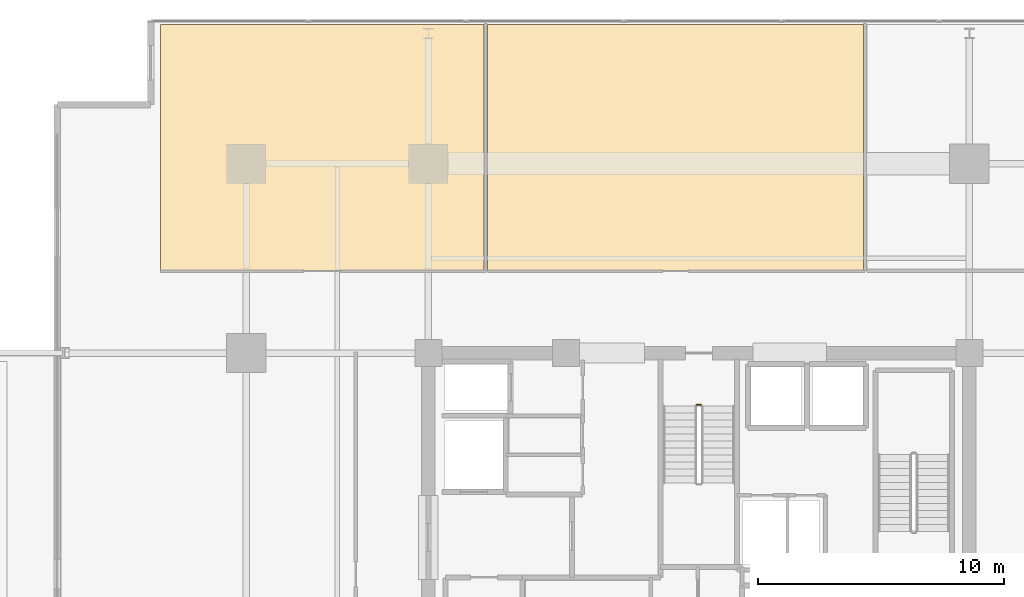
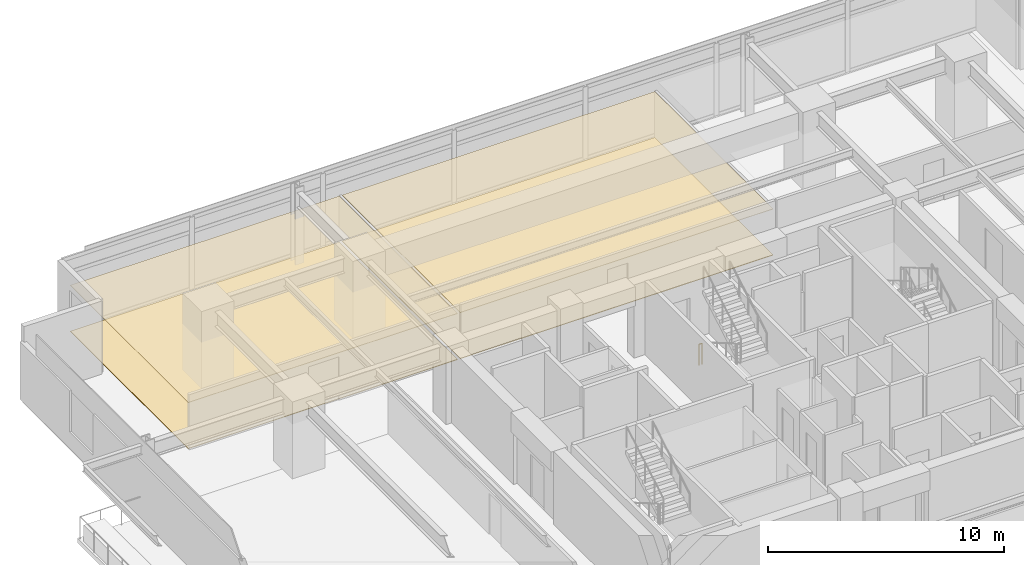
# One storey, part 22 of 23: 4 coverings, 1 railing.
"""IFC4 building model written with IfcOpenShell, lengths in metres."""

from ifc_helpers import new_model, si_unit, direction, frame, origin, origin_2d, place, context, subcontext, project, spatial, polyline, circle, outline, extrude, material, layer, layer_set, type_object, element, save


model = new_model("IFC4")

# Units and contexts
model_context = context("Model", 3, precision=1e-05, world=origin(), true_north=direction((0.0, 1.0)))
body_context = subcontext(model_context, "Body", "Model", "MODEL_VIEW")
ifc_project = project(units=[si_unit("LENGTHUNIT", "METRE"), si_unit("AREAUNIT", "SQUARE_METRE"), si_unit("VOLUMEUNIT", "CUBIC_METRE"), si_unit("PLANEANGLEUNIT", "RADIAN"), si_unit("MASSUNIT", "GRAM", prefix="KILO")], contexts=[model_context])

# Site, building, storey
site_placement = place(None, origin())
site = spatial("IfcSite", under=ifc_project, at=site_placement, CompositionType="ELEMENT")
building_placement = place(site_placement, origin())
building = spatial("IfcBuilding", under=site, at=building_placement, Name="Kovane Verandah Tower", CompositionType="ELEMENT")
storey_placement = place(building_placement, frame((0.0, 0.0, 136.39990234375)))
storey = spatial("IfcBuildingStorey", under=building, at=storey_placement, Name="L31", CompositionType="ELEMENT", Elevation=136.39990234375)

# Coverings
ifc_material_1 = material(Name="Perforated Acoustic Mineral-Fibre Ceiling Tile", Category="gypsum")
ifc_layer_1 = layer(ifc_material_1, 0.02490234375)
ifc_layer_set_1 = layer_set([ifc_layer_1], Name="Perforated Acoustic Mineral-Fibre Ceiling Tile")
covering_type_1 = type_object("IfcCoveringType", Name="CV-CEIL-25", PredefinedType="CEILING", material=ifc_layer_set_1)
covering_1_placement = place(storey_placement, frame((0.0, 0.0, 2.380126953125)))
element("IfcCovering", 1, at=covering_1_placement, inside=storey, type_object=covering_type_1, Name="L31 Client Boardroom N1 Acoustic Ceiling", PredefinedType="CEILING", context=body_context, shape_type="SweptSolid", body=[
    extrude(outline(polyline([(18.113525390625, 39.85009765625), (31.266357421875, 39.85009765625), (31.266357421875, 49.8505859375), (18.113525390625, 49.8505859375), (18.113525390625, 39.85009765625)])), origin(), (0.0, 0.0, 1.0), 0.02490234375),
])
covering_2_placement = place(storey_placement, frame((0.0, 0.0, 2.380126953125)))
element("IfcCovering", 2, at=covering_2_placement, inside=storey, type_object=covering_type_1, Name="L31 Meeting Room N2 Acoustic Ceiling", PredefinedType="CEILING", context=body_context, shape_type="SweptSolid", body=[
    extrude(outline(polyline([(31.406494140625, 39.85009765625), (46.693115234375, 39.85009765625), (46.693115234375, 49.8505859375), (31.406494140625, 49.8505859375), (31.406494140625, 39.85009765625)])), origin(), (0.0, 0.0, 1.0), 0.02490234375),
])
ifc_material_2 = material(Name="Polished Terrazzo and Raised-Access Carpet Tile Finish", Category="concrete")
ifc_layer_2 = layer(ifc_material_2, 0.030029296875)
ifc_layer_set_2 = layer_set([ifc_layer_2], Name="Polished Terrazzo and Raised-Access Carpet Tile Finish")
covering_type_2 = type_object("IfcCoveringType", Name="CV-FLOR-30", PredefinedType="FLOORING", material=ifc_layer_set_2)
covering_3_placement = place(storey_placement, origin())
element("IfcCovering", 3, at=covering_3_placement, inside=storey, type_object=covering_type_2, Name="L31 Client Boardroom N1 Floor Finish", PredefinedType="FLOORING", context=body_context, shape_type="SweptSolid", body=[
    extrude(outline(polyline([(18.113525390625, 39.85009765625), (31.266357421875, 39.85009765625), (31.266357421875, 49.8505859375), (18.113525390625, 49.8505859375), (18.113525390625, 39.85009765625)])), origin(), (0.0, 0.0, 1.0), 0.030029296875),
])
covering_4_placement = place(storey_placement, origin())
element("IfcCovering", 4, at=covering_4_placement, inside=storey, type_object=covering_type_2, Name="L31 Meeting Room N2 Floor Finish", PredefinedType="FLOORING", context=body_context, shape_type="SweptSolid", body=[
    extrude(outline(polyline([(31.406494140625, 39.85009765625), (46.693115234375, 39.85009765625), (46.693115234375, 49.8505859375), (31.406494140625, 49.8505859375), (31.406494140625, 39.85009765625)])), origin(), (0.0, 0.0, 1.0), 0.030029296875),
])

# Railing
ifc_material_3 = material(Name="Painted Steel Stairwell Guardrail", Category="steel")
railing_type = type_object("IfcRailingType", Name="RL-STGUARD-1120", PredefinedType="GUARDRAIL", material=ifc_material_3)
railing_placement = place(storey_placement, frame((39.919921875, 34.39990234375, 0.0)))
element("IfcRailing", 5, at=railing_placement, inside=storey, type_object=railing_type, Name="L31 ST-03 stair guard 4", PredefinedType="GUARDRAIL", context=body_context, shape_type="SweptSolid", body=[
    extrude(circle(Radius=0.02392578125, at=origin_2d()), frame((0.0, 0.0, 1.076171875), z_axis=(1.0, 0.0, 0.0), x_axis=(0.0, 1.0, 0.0)), (0.0, 0.0, 1.0), 0.16015625),
    extrude(circle(Radius=0.02099609375, at=origin_2d()), origin(), (0.0, 0.0, 1.0), 1.052001953125),
    extrude(circle(Radius=0.02099609375, at=origin_2d()), frame((0.16015625, 0.0, 0.0)), (0.0, 0.0, 1.0), 1.052001953125),
])

save(model, "model.ifc")
